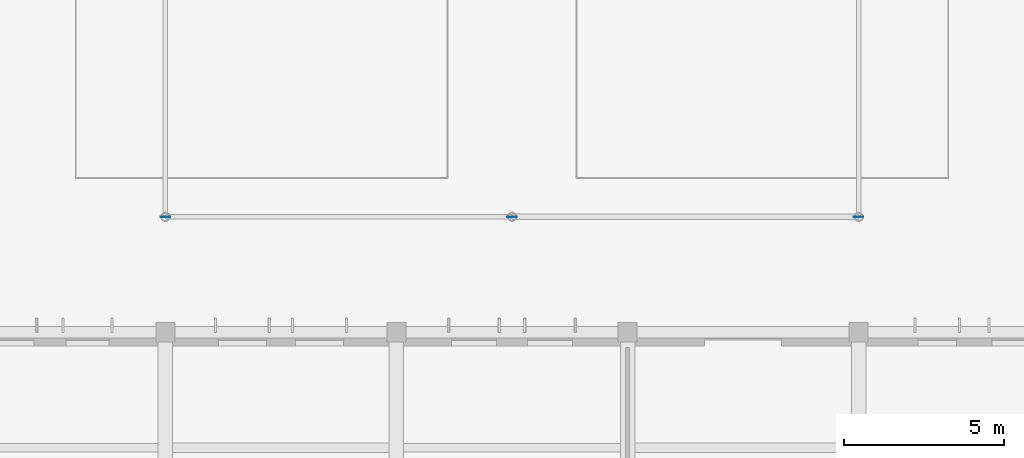
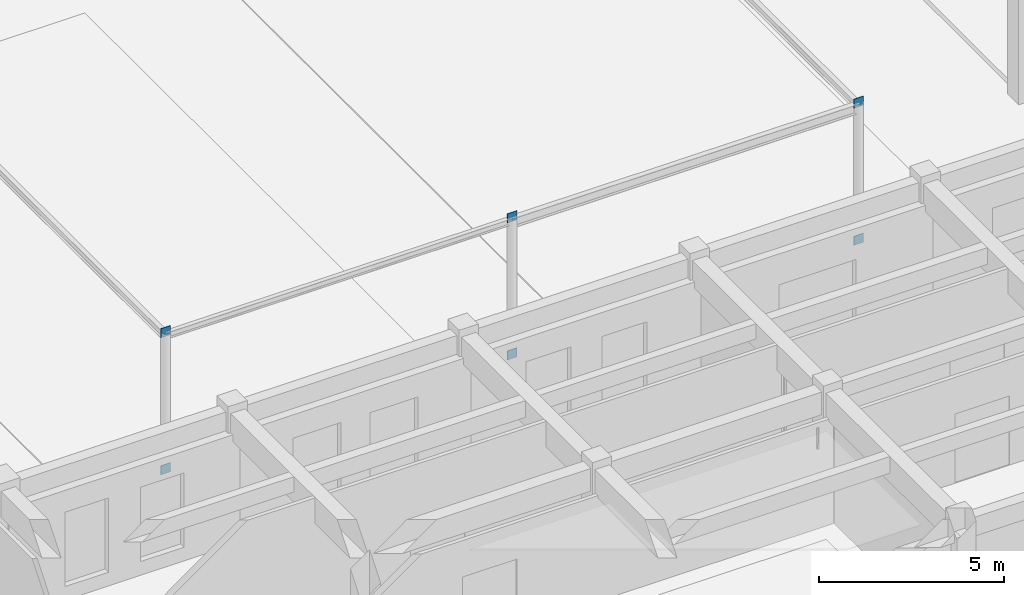
# One storey, part 19 of 43: 6 plates.
"""IFC4 building model written with IfcOpenShell, lengths in metres."""

from ifc_helpers import new_model, si_unit, direction, frame, origin, place, context, subcontext, project, spatial, polyline, outline, extrude, material, layer, layer_set, type_object, element, save


model = new_model("IFC4")

# Units and contexts
model_context = context("Model", 3, precision=1e-05, world=origin(), true_north=direction((0.0, 1.0)))
body_context = subcontext(model_context, "Body", "Model", "MODEL_VIEW")
ifc_project = project(units=[si_unit("LENGTHUNIT", "METRE"), si_unit("AREAUNIT", "SQUARE_METRE"), si_unit("VOLUMEUNIT", "CUBIC_METRE"), si_unit("PLANEANGLEUNIT", "RADIAN"), si_unit("MASSUNIT", "GRAM", prefix="KILO")], contexts=[model_context])

# Site, building, storey
site_placement = place(None, origin())
site = spatial("IfcSite", under=ifc_project, at=site_placement, CompositionType="ELEMENT")
building_placement = place(site_placement, origin())
building = spatial("IfcBuilding", under=site, at=building_placement, Name="Alvorim Cloister Faculty of Sciences", CompositionType="ELEMENT")
storey_placement = place(building_placement, origin())
storey = spatial("IfcBuildingStorey", under=building, at=storey_placement, Name="L00", CompositionType="ELEMENT", Elevation=0.0)

# Plates
ifc_material = material(Name="Steel ASTM A572 Grade 50", Category="steel")
ifc_layer = layer(ifc_material, 0.01611328125)
ifc_layer_set = layer_set([ifc_layer], Name="Steel ASTM A572 Grade 50")
plate_type = type_object("IfcPlateType", Name="PL-CAP-16", PredefinedType="SHEET", material=ifc_layer_set)
for number, where, z_axis, x_axis, name in (
    (1, (35.85009765625, 18.0, -0.157958984375), (0.0, 0.0, 1.0), (1.0, 0.0, 0.0), "Hollow Steel End Plate ND-04"),
    (2, (35.85009765625, 18.0, 4.35791015625), (0.0, 0.0, 1.0), (1.0, 0.0, 0.0), "Hollow Steel End Plate ND-04"),
    (3, (46.64990234375, 18.0, -0.157958984375), (0.0, 0.0, 1.0), (1.0, 0.0, 0.0), "Hollow Steel End Plate ND-04"),
    (4, (46.64990234375, 18.0, 4.35791015625), (0.0, 0.0, 1.0), (1.0, 0.0, 0.0), "Hollow Steel End Plate ND-04"),
    (5, (57.449951171875, 18.0, -0.157958984375), (0.0, 0.0, 1.0), (1.0, 0.0, 0.0), "Hollow Steel End Plate ND-04"),
    (6, (57.449951171875, 18.0, 4.35791015625), (0.0, 0.0, 1.0), (1.0, 0.0, 0.0), "Hollow Steel End Plate ND-04"),
):
    element("IfcPlate", number, at=place(storey_placement, frame(where, z_axis=z_axis, x_axis=x_axis)), inside=storey, type_object=plate_type, Name=name, PredefinedType="SHEET", context=body_context, shape_type="SweptSolid", body=[
        extrude(outline(polyline([(0.0, 0.0), (0.300048828125, 0.0), (0.300048828125, 0.300048828125), (0.0, 0.300048828125), (0.0, 0.0)])), frame((0.0, 0.008056640625, 0.0), z_axis=(0.0, -1.0, 0.0), x_axis=(1.0, 0.0, 0.0)), (0.0, 0.0, 1.0), 0.01611328125),
    ])

save(model, "model.ifc")
